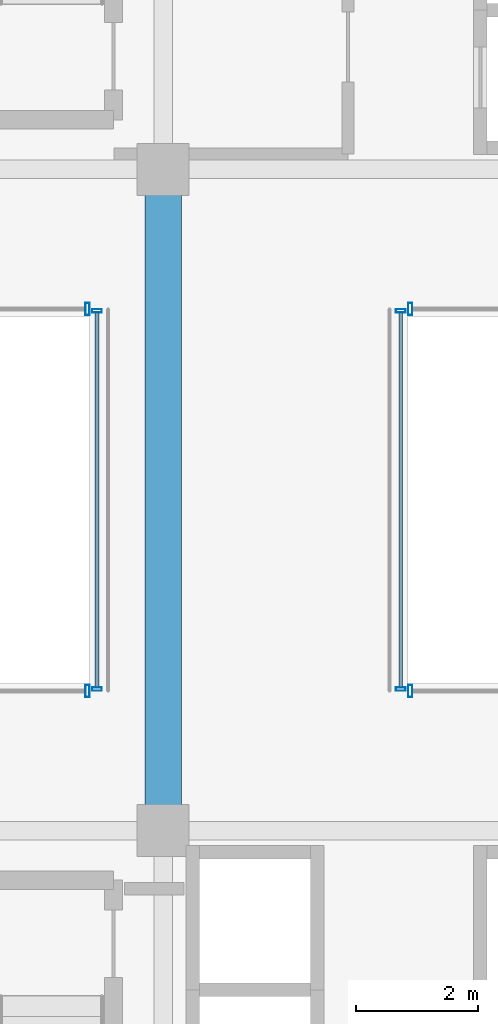
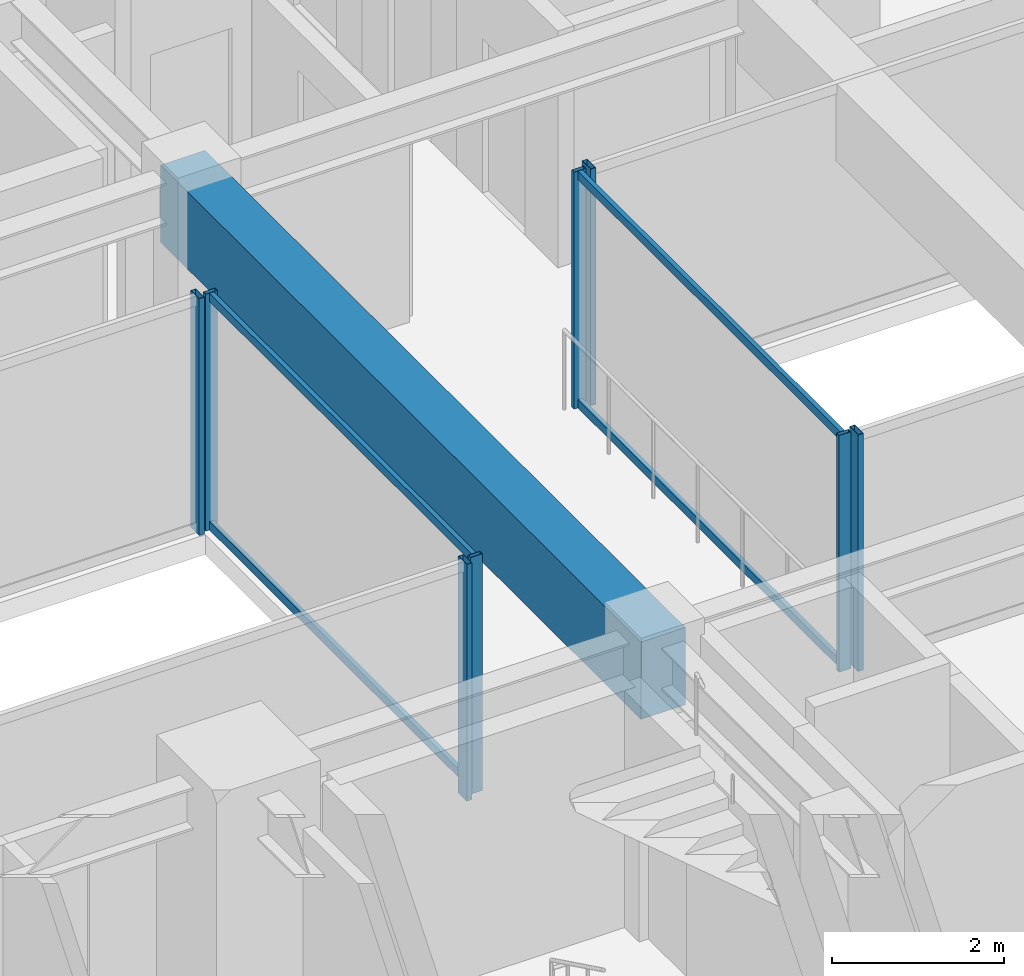
# One storey, part 15 of 35: 12 members, 1 beam, 6 elements without a shape of their own.
"""IFC4 building model written with IfcOpenShell, lengths in metres."""

from ifc_helpers import new_model, si_unit, direction, frame, origin, origin_2d, place, context, subcontext, project, spatial, rectangle, hollow_rectangle, extrude, source, transform, mapped, material, material_profile, profile_set, type_object, element, aggregate, save


model = new_model("IFC4")

# Units and contexts
model_context = context("Model", 3, precision=1e-05, world=origin(), true_north=direction((0.0, 1.0)))
body_context = subcontext(model_context, "Body", "Model", "MODEL_VIEW")
ifc_project = project(units=[si_unit("LENGTHUNIT", "METRE"), si_unit("AREAUNIT", "SQUARE_METRE"), si_unit("VOLUMEUNIT", "CUBIC_METRE"), si_unit("PLANEANGLEUNIT", "RADIAN"), si_unit("MASSUNIT", "GRAM", prefix="KILO")], contexts=[model_context])

# Site, building, storey
site_placement = place(None, origin())
site = spatial("IfcSite", under=ifc_project, at=site_placement, CompositionType="ELEMENT")
building_placement = place(site_placement, origin())
building = spatial("IfcBuilding", under=site, at=building_placement, Name="Nahalor Promenade Grand Hotel", CompositionType="ELEMENT")
storey_placement = place(building_placement, frame((0.0, 0.0, 43.35009765625)))
storey = spatial("IfcBuildingStorey", under=building, at=storey_placement, Name="L09", CompositionType="ELEMENT", Elevation=43.35009765625)

# Beam
ifc_material_1 = material(Name="Concrete B-60 (C50/60)", Category="concrete")
ifc_material_profile_1 = material_profile(ifc_material_1, rectangle(XDim=0.6, YDim=1.1, at=origin_2d()), Name="RC 600x1100")
ifc_profile_set_1 = profile_set([ifc_material_profile_1], Name="Concrete B-60 (C50/60)")
beam_type = type_object("IfcBeamType", Name="Beam-Lintel-RC1100", PredefinedType="LINTEL", material=ifc_profile_set_1)
shared_shape_1 = source(origin(), body_context, "Body", "SweptSolid", [
    extrude(rectangle(XDim=0.6, YDim=1.1, at=origin_2d()), origin(), (0.0, 0.0, 1.0), 11.2001953125),
])
beam_placement = place(storey_placement, frame((8.39990234375, -5.60009765625, 2.81982421875), z_axis=(0.0, 1.0, 0.0), x_axis=(-1.0, 0.0, 0.0)))
element("IfcBeam", 1, at=beam_placement, inside=storey, type_object=beam_type, Name="BM-L09-LINT-W", PredefinedType="LINTEL", context=body_context, shape_type="MappedRepresentation", body=[
    mapped(shared_shape_1, transform((0.0, 0.0, 0.0), scale=1.0)),
])

# Curtain wall, member
ifc_material_2 = material(Name="Anodised Bronze Aluminium EN AW-6063 T6", Category="aluminium")
curtain_wall_type_1 = type_object("IfcCurtainWallType", Name="CW3 Elliptical-Void Collar Unitised Curtain Wall", PredefinedType="USERDEFINED", material=ifc_material_2)
curtain_wall_1_placement = place(storey_placement, origin())
curtain_wall_1 = element("IfcCurtainWall", 2, at=curtain_wall_1_placement, inside=storey, type_object=curtain_wall_type_1, Name="L09 Curtain Wall CW-L09-VOID-WS1", ObjectType="UNITISED_CURTAIN_WALL", PredefinedType="USERDEFINED")
ifc_material_profile_2 = material_profile(ifc_material_2, hollow_rectangle(XDim=0.07, YDim=0.2, WallThickness=0.005, at=origin_2d()), Name="CWM 70x200x5")
ifc_profile_set_2 = profile_set([ifc_material_profile_2], Name="Anodised Bronze Aluminium EN AW-6063 T6")
member_type_1 = type_object("IfcMemberType", Name="CWM3 Void Collar Mullion 70x200", PredefinedType="MULLION", material=ifc_profile_set_2)
shared_shape_2 = source(origin(), body_context, "Body", "SweptSolid", [
    extrude(hollow_rectangle(XDim=0.07, YDim=0.2, WallThickness=0.005, at=origin_2d()), origin(), (0.0, 0.0, 1.0), 3.369873046875),
])
member_1_placement = place(storey_placement, frame((7.1650390625, -3.118896484375, 0.0), z_axis=(0.0, 0.0, 1.0), x_axis=(1.0, 0.0, 0.0)))
member_1 = element("IfcMember", 3, at=member_1_placement, type_object=member_type_1, Name="CW-L09-VOID-WS1 Mullion 3", PredefinedType="MULLION", context=body_context, shape_type="MappedRepresentation", body=[
    mapped(shared_shape_2, transform((0.0, 0.0, 0.0), scale=1.0)),
])
aggregate(curtain_wall_1, [member_1])

curtain_wall_2_placement = place(storey_placement, origin())
curtain_wall_2 = element("IfcCurtainWall", 4, at=curtain_wall_2_placement, inside=storey, type_object=curtain_wall_type_1, Name="L09 Curtain Wall CW-L09-VOID-WN1", ObjectType="UNITISED_CURTAIN_WALL", PredefinedType="USERDEFINED")
member_2_placement = place(storey_placement, frame((7.1650390625, 3.118896484375, 0.0), z_axis=(0.0, 0.0, 1.0), x_axis=(1.0, 0.0, 0.0)))
member_2 = element("IfcMember", 5, at=member_2_placement, type_object=member_type_1, Name="CW-L09-VOID-WN1 Mullion 3", PredefinedType="MULLION", context=body_context, shape_type="MappedRepresentation", body=[
    mapped(shared_shape_2, transform((0.0, 0.0, 0.0), scale=1.0)),
])
aggregate(curtain_wall_2, [member_2])

curtain_wall_3_placement = place(storey_placement, origin())
curtain_wall_3 = element("IfcCurtainWall", 6, at=curtain_wall_3_placement, inside=storey, type_object=curtain_wall_type_1, Name="L09 Curtain Wall CW-L09-VOID-ES1", ObjectType="UNITISED_CURTAIN_WALL", PredefinedType="USERDEFINED")
member_3_placement = place(storey_placement, frame((12.43505859375, -3.118896484375, 0.0), z_axis=(0.0, 0.0, 1.0), x_axis=(1.0, 0.0, 0.0)))
member_3 = element("IfcMember", 7, at=member_3_placement, type_object=member_type_1, Name="CW-L09-VOID-ES1 Mullion 0", PredefinedType="MULLION", context=body_context, shape_type="MappedRepresentation", body=[
    mapped(shared_shape_2, transform((0.0, 0.0, 0.0), scale=1.0)),
])
aggregate(curtain_wall_3, [member_3])

curtain_wall_4_placement = place(storey_placement, origin())
curtain_wall_4 = element("IfcCurtainWall", 8, at=curtain_wall_4_placement, inside=storey, type_object=curtain_wall_type_1, Name="L09 Curtain Wall CW-L09-VOID-EN1", ObjectType="UNITISED_CURTAIN_WALL", PredefinedType="USERDEFINED")
member_4_placement = place(storey_placement, frame((12.43505859375, 3.118896484375, 0.0), z_axis=(0.0, 0.0, 1.0), x_axis=(1.0, 0.0, 0.0)))
member_4 = element("IfcMember", 9, at=member_4_placement, type_object=member_type_1, Name="CW-L09-VOID-EN1 Mullion 0", PredefinedType="MULLION", context=body_context, shape_type="MappedRepresentation", body=[
    mapped(shared_shape_2, transform((0.0, 0.0, 0.0), scale=1.0)),
])
aggregate(curtain_wall_4, [member_4])

# Curtain wall, members
curtain_wall_type_2 = type_object("IfcCurtainWallType", Name="CW4 Low-Iron Sky-Gallery Bridge Curtain Wall", PredefinedType="USERDEFINED", material=ifc_material_2)
curtain_wall_5_placement = place(storey_placement, origin())
curtain_wall_5 = element("IfcCurtainWall", 10, at=curtain_wall_5_placement, inside=storey, type_object=curtain_wall_type_2, Name="L09 Curtain Wall CW-L09-BRG-W", ObjectType="UNITISED_CURTAIN_WALL", PredefinedType="USERDEFINED")
ifc_material_profile_3 = material_profile(ifc_material_2, hollow_rectangle(XDim=0.06, YDim=0.16, WallThickness=0.004, at=origin_2d()), Name="CWM 60x160x4")
ifc_profile_set_3 = profile_set([ifc_material_profile_3], Name="Anodised Bronze Aluminium EN AW-6063 T6")
member_type_2 = type_object("IfcMemberType", Name="CWM4 Sky-Gallery Slim Mullion 60x160", PredefinedType="MULLION", material=ifc_profile_set_3)
shared_shape_3 = source(origin(), body_context, "Body", "SweptSolid", [
    extrude(hollow_rectangle(XDim=0.06, YDim=0.16, WallThickness=0.004, at=origin_2d()), origin(), (0.0, 0.0, 1.0), 3.369873046875),
])
member_5_placement = place(storey_placement, frame((7.320068359375, -3.089111328125, 0.0), z_axis=(0.0, 0.0, 1.0), x_axis=(0.0, 1.0, 0.0)))
member_5 = element("IfcMember", 11, at=member_5_placement, type_object=member_type_2, Name="CW-L09-BRG-W Mullion 0", PredefinedType="MULLION", context=body_context, shape_type="MappedRepresentation", body=[
    mapped(shared_shape_3, transform((0.0, 0.0, 0.0), scale=1.0)),
])
member_6_placement = place(storey_placement, frame((7.320068359375, 3.089111328125, 0.0), z_axis=(0.0, 0.0, 1.0), x_axis=(0.0, 1.0, 0.0)))
member_6 = element("IfcMember", 12, at=member_6_placement, type_object=member_type_2, Name="CW-L09-BRG-W Mullion 1", PredefinedType="MULLION", context=body_context, shape_type="MappedRepresentation", body=[
    mapped(shared_shape_3, transform((0.0, 0.0, 0.0), scale=1.0)),
])

curtain_wall_6_placement = place(storey_placement, origin())
curtain_wall_6 = element("IfcCurtainWall", 13, at=curtain_wall_6_placement, inside=storey, type_object=curtain_wall_type_2, Name="L09 Curtain Wall CW-L09-BRG-E", ObjectType="UNITISED_CURTAIN_WALL", PredefinedType="USERDEFINED")
member_7_placement = place(storey_placement, frame((12.280029296875, -3.089111328125, 0.0), z_axis=(0.0, 0.0, 1.0), x_axis=(0.0, 1.0, 0.0)))
member_7 = element("IfcMember", 14, at=member_7_placement, type_object=member_type_2, Name="CW-L09-BRG-E Mullion 0", PredefinedType="MULLION", context=body_context, shape_type="MappedRepresentation", body=[
    mapped(shared_shape_3, transform((0.0, 0.0, 0.0), scale=1.0)),
])
member_8_placement = place(storey_placement, frame((12.280029296875, 3.089111328125, 0.0), z_axis=(0.0, 0.0, 1.0), x_axis=(0.0, 1.0, 0.0)))
member_8 = element("IfcMember", 15, at=member_8_placement, type_object=member_type_2, Name="CW-L09-BRG-E Mullion 1", PredefinedType="MULLION", context=body_context, shape_type="MappedRepresentation", body=[
    mapped(shared_shape_3, transform((0.0, 0.0, 0.0), scale=1.0)),
])

# Member
ifc_material_profile_4 = material_profile(ifc_material_2, hollow_rectangle(XDim=0.06, YDim=0.12, WallThickness=0.004, at=origin_2d()), Name="CWT 60x120x4")
ifc_profile_set_4 = profile_set([ifc_material_profile_4], Name="Anodised Bronze Aluminium EN AW-6063 T6")
member_type_3 = type_object("IfcMemberType", Name="CWT4 Sky-Gallery Slim Transom 60x120", PredefinedType="USERDEFINED", material=ifc_profile_set_4)
shared_shape_4 = source(origin(), body_context, "Body", "SweptSolid", [
    extrude(hollow_rectangle(XDim=0.06, YDim=0.12, WallThickness=0.004, at=origin_2d()), origin(), (0.0, 0.0, 1.0), 6.1181640625),
])
member_9_placement = place(storey_placement, frame((7.320068359375, -3.05908203125, 0.059814453125), z_axis=(0.0, 1.0, 0.0), x_axis=(-1.0, 0.0, 0.0)))
member_9 = element("IfcMember", 16, at=member_9_placement, type_object=member_type_3, Name="CW-L09-BRG-W Transom 0-0", ObjectType="TRANSOM", PredefinedType="USERDEFINED", context=body_context, shape_type="MappedRepresentation", body=[
    mapped(shared_shape_4, transform((0.0, 0.0, 0.0), scale=1.0)),
])

member_10_placement = place(storey_placement, frame((7.320068359375, -3.05908203125, 3.309814453125), z_axis=(0.0, 1.0, 0.0), x_axis=(-1.0, 0.0, 0.0)))
member_10 = element("IfcMember", 17, at=member_10_placement, type_object=member_type_3, Name="CW-L09-BRG-W Transom 0-1", ObjectType="TRANSOM", PredefinedType="USERDEFINED", context=body_context, shape_type="MappedRepresentation", body=[
    mapped(shared_shape_4, transform((0.0, 0.0, 0.0), scale=1.0)),
])

aggregate(curtain_wall_5, [member_5, member_6, member_9, member_10])

member_11_placement = place(storey_placement, frame((12.280029296875, -3.05908203125, 0.059814453125), z_axis=(0.0, 1.0, 0.0), x_axis=(-1.0, 0.0, 0.0)))
member_11 = element("IfcMember", 18, at=member_11_placement, type_object=member_type_3, Name="CW-L09-BRG-E Transom 0-0", ObjectType="TRANSOM", PredefinedType="USERDEFINED", context=body_context, shape_type="MappedRepresentation", body=[
    mapped(shared_shape_4, transform((0.0, 0.0, 0.0), scale=1.0)),
])

member_12_placement = place(storey_placement, frame((12.280029296875, -3.05908203125, 3.309814453125), z_axis=(0.0, 1.0, 0.0), x_axis=(-1.0, 0.0, 0.0)))
member_12 = element("IfcMember", 19, at=member_12_placement, type_object=member_type_3, Name="CW-L09-BRG-E Transom 0-1", ObjectType="TRANSOM", PredefinedType="USERDEFINED", context=body_context, shape_type="MappedRepresentation", body=[
    mapped(shared_shape_4, transform((0.0, 0.0, 0.0), scale=1.0)),
])

aggregate(curtain_wall_6, [member_7, member_8, member_11, member_12])

save(model, "model.ifc")
